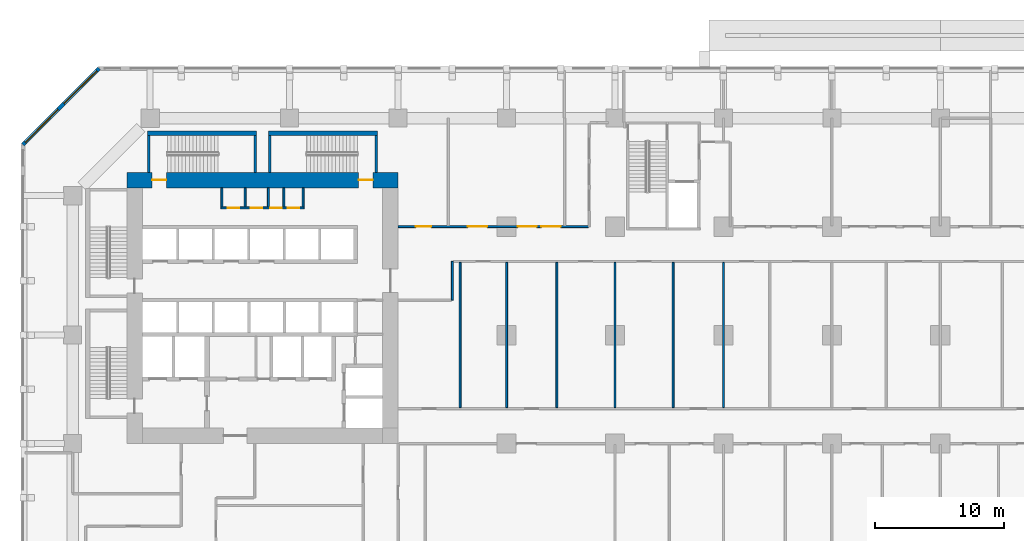
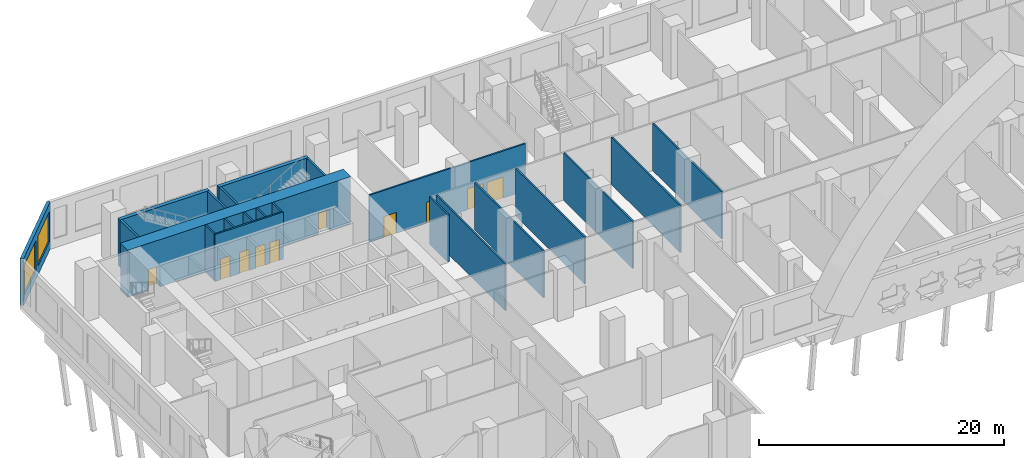
# One storey, part 12 of 25: 22 walls, 10 doors, 2 windows, 12 openings.
"""IFC4 building model written with IfcOpenShell, lengths in metres."""

from ifc_helpers import new_model, si_unit, direction, frame, frame_2d, origin, place, context, subcontext, project, spatial, rectangle, extrude, material, layer, layer_set, type_object, element, fill, save


model = new_model("IFC4")

# Units and contexts
model_context = context("Model", 3, precision=1e-05, world=origin(), true_north=direction((0.0, 1.0)))
body_context = subcontext(model_context, "Body", "Model", "MODEL_VIEW")
ifc_project = project(units=[si_unit("LENGTHUNIT", "METRE"), si_unit("AREAUNIT", "SQUARE_METRE"), si_unit("VOLUMEUNIT", "CUBIC_METRE"), si_unit("PLANEANGLEUNIT", "RADIAN"), si_unit("MASSUNIT", "GRAM", prefix="KILO")], contexts=[model_context])

# Site, building, storey
site_placement = place(None, origin())
site = spatial("IfcSite", under=ifc_project, at=site_placement, CompositionType="ELEMENT")
building_placement = place(site_placement, origin())
building = spatial("IfcBuilding", under=site, at=building_placement, Name="Kawkab Arch Medical Tower", CompositionType="ELEMENT")
storey_placement = place(building_placement, frame((0.0, 0.0, 29.0)))
storey = spatial("IfcBuildingStorey", under=building, at=storey_placement, Name="L06", CompositionType="ELEMENT", Elevation=29.0)

# Wall, openings, doors
ifc_material_1 = material(Name="Concrete C60/75", Category="concrete")
ifc_layer_1 = layer(ifc_material_1, 1.199951171875)
ifc_layer_set_1 = layer_set([ifc_layer_1], Name="Concrete C60/75")
wall_type_1 = type_object("IfcWallType", Name="Core ring wall 1200 C60/75", PredefinedType="SHEAR", material=ifc_layer_set_1)
wall_1_placement = place(storey_placement, frame((4.199951171875, -4.800048828125, 0.0), z_axis=(0.0, 0.0, 1.0), x_axis=(1.0, 0.0, 0.0)))
wall_1 = element("IfcWall", 1, at=wall_1_placement, inside=storey, type_object=wall_type_1, Name="L06 core wall", PredefinedType="SHEAR", context=body_context, shape_type="SweptSolid", body=[
    extrude(rectangle(XDim=21.0, YDim=1.199951171875, at=frame_2d((10.5, 0.0))), origin(), (0.0, 0.0, 1.0), 4.699951171875),
])
opening_1_placement = place(wall_1_placement, frame((1.949951171875, 0.0, 0.0)))
opening_1 = element("IfcOpeningElement", 2, at=opening_1_placement, cuts=wall_1, Name="Opening SD", PredefinedType="OPENING", context=body_context, shape_type="SweptSolid", body=[
    extrude(rectangle(XDim=1.10009765625, YDim=2.10009765625, at=frame_2d((0.550048828125, 1.050048828125))), frame((0.0, 0.60986328125, 0.0), z_axis=(0.0, -1.0, 0.0), x_axis=(1.0, 0.0, 0.0)), (0.0, 0.0, 1.0), 1.219970703125),
])
opening_2_placement = place(wall_1_placement, frame((17.949951171875, 0.0, 0.0)))
opening_2 = element("IfcOpeningElement", 3, at=opening_2_placement, cuts=wall_1, Name="Opening SD", PredefinedType="OPENING", context=body_context, shape_type="SweptSolid", body=[
    extrude(rectangle(XDim=1.10009765625, YDim=2.10009765625, at=frame_2d((0.550048828125, 1.050048828125))), frame((0.0, 0.60986328125, 0.0), z_axis=(0.0, -1.0, 0.0), x_axis=(1.0, 0.0, 0.0)), (0.0, 0.0, 1.0), 1.219970703125),
])
ifc_material_2 = material(Name="Hollow metal fire door leaf")
door_type_1 = type_object("IfcDoorType", Name="Exit stair door 1100", OperationType="SINGLE_SWING_LEFT", PredefinedType="DOOR", material=ifc_material_2)
door_1_placement = place(opening_1_placement, origin())
door_1 = element("IfcDoor", 4, at=door_1_placement, inside=storey, type_object=door_type_1, Name="L06 Exit stair ST3 door", OperationType="SINGLE_SWING_LEFT", OverallHeight=2.10009765625, OverallWidth=1.10009765625, PredefinedType="DOOR", context=body_context, shape_type="SweptSolid", body=[
    extrude(rectangle(XDim=1.10009765625, YDim=2.10009765625, at=frame_2d((0.550048828125, 1.050048828125))), frame((0.0, 0.02490234375, 0.0), z_axis=(0.0, -1.0, 0.0), x_axis=(1.0, 0.0, 0.0)), (0.0, 0.0, 1.0), 0.050048828125),
])
fill(opening_1, door_1)
door_2_placement = place(opening_2_placement, origin())
door_2 = element("IfcDoor", 5, at=door_2_placement, inside=storey, type_object=door_type_1, Name="L06 Exit stair ST4 door", OperationType="SINGLE_SWING_LEFT", OverallHeight=2.10009765625, OverallWidth=1.10009765625, PredefinedType="DOOR", context=body_context, shape_type="SweptSolid", body=[
    extrude(rectangle(XDim=1.10009765625, YDim=2.10009765625, at=frame_2d((0.550048828125, 1.050048828125))), frame((0.0, 0.02490234375, 0.0), z_axis=(0.0, -1.0, 0.0), x_axis=(1.0, 0.0, 0.0)), (0.0, 0.0, 1.0), 0.050048828125),
])
fill(opening_2, door_2)

ifc_material_3 = material(Name="Gypsum board on steel studs", Category="steel")
ifc_layer_2 = layer(ifc_material_3, 0.14990234375)
ifc_layer_set_2 = layer_set([ifc_layer_2], Name="Gypsum board on steel studs")
wall_type_2 = type_object("IfcWallType", Name="Core room partition 150", PredefinedType="PARTITIONING", material=ifc_layer_set_2)
wall_2_placement = place(storey_placement, frame((11.47509765625, -6.949951171875, 0.0), z_axis=(0.0, 0.0, 1.0), x_axis=(1.0, 0.0, 0.0)))
wall_2 = element("IfcWall", 6, at=wall_2_placement, inside=storey, type_object=wall_type_2, Name="L06 core room partition", PredefinedType="PARTITIONING", context=body_context, shape_type="SweptSolid", body=[
    extrude(rectangle(XDim=6.449951171875, YDim=0.14990234375, at=frame_2d((3.22509765625, 0.0))), origin(), (0.0, 0.0, 1.0), 4.699951171875),
])
opening_3_placement = place(wall_2_placement, frame((0.52490234375, 0.0, 0.0)))
opening_3 = element("IfcOpeningElement", 7, at=opening_3_placement, cuts=wall_2, Name="Opening RD", PredefinedType="OPENING", context=body_context, shape_type="SweptSolid", body=[
    extrude(rectangle(XDim=0.89990234375, YDim=2.10009765625, at=frame_2d((0.449951171875, 1.050048828125))), frame((0.0, 0.0849609375, 0.0), z_axis=(0.0, -1.0, 0.0), x_axis=(1.0, 0.0, 0.0)), (0.0, 0.0, 1.0), 0.169921875),
])
opening_4_placement = place(wall_2_placement, frame((2.324951171875, 0.0, 0.0)))
opening_4 = element("IfcOpeningElement", 8, at=opening_4_placement, cuts=wall_2, Name="Opening RD", PredefinedType="OPENING", context=body_context, shape_type="SweptSolid", body=[
    extrude(rectangle(XDim=0.89990234375, YDim=2.10009765625, at=frame_2d((0.449951171875, 1.050048828125))), frame((0.0, 0.0849609375, 0.0), z_axis=(0.0, -1.0, 0.0), x_axis=(1.0, 0.0, 0.0)), (0.0, 0.0, 1.0), 0.169921875),
])
opening_5_placement = place(wall_2_placement, frame((3.824951171875, 0.0, 0.0)))
opening_5 = element("IfcOpeningElement", 9, at=opening_5_placement, cuts=wall_2, Name="Opening RD", PredefinedType="OPENING", context=body_context, shape_type="SweptSolid", body=[
    extrude(rectangle(XDim=0.89990234375, YDim=2.10009765625, at=frame_2d((0.449951171875, 1.050048828125))), frame((0.0, 0.0849609375, 0.0), z_axis=(0.0, -1.0, 0.0), x_axis=(1.0, 0.0, 0.0)), (0.0, 0.0, 1.0), 0.169921875),
])
opening_6_placement = place(wall_2_placement, frame((5.175048828125, 0.0, 0.0)))
opening_6 = element("IfcOpeningElement", 10, at=opening_6_placement, cuts=wall_2, Name="Opening RD", PredefinedType="OPENING", context=body_context, shape_type="SweptSolid", body=[
    extrude(rectangle(XDim=0.89990234375, YDim=2.10009765625, at=frame_2d((0.449951171875, 1.050048828125))), frame((0.0, 0.0849609375, 0.0), z_axis=(0.0, -1.0, 0.0), x_axis=(1.0, 0.0, 0.0)), (0.0, 0.0, 1.0), 0.169921875),
])
ifc_material_4 = material(Name="Hollow metal fire door leaf")
door_type_2 = type_object("IfcDoorType", Name="Core room door 900", OperationType="SINGLE_SWING_LEFT", PredefinedType="DOOR", material=ifc_material_4)
door_3_placement = place(opening_3_placement, origin())
door_3 = element("IfcDoor", 11, at=door_3_placement, inside=storey, type_object=door_type_2, Name="L06 Linen store door", OperationType="SINGLE_SWING_LEFT", OverallHeight=2.10009765625, OverallWidth=0.89990234375, PredefinedType="DOOR", context=body_context, shape_type="SweptSolid", body=[
    extrude(rectangle(XDim=0.89990234375, YDim=2.10009765625, at=frame_2d((0.449951171875, 1.050048828125))), frame((0.0, 0.02490234375, 0.0), z_axis=(0.0, -1.0, 0.0), x_axis=(1.0, 0.0, 0.0)), (0.0, 0.0, 1.0), 0.050048828125),
])
fill(opening_3, door_3)
door_4_placement = place(opening_4_placement, origin())
door_4 = element("IfcDoor", 12, at=door_4_placement, inside=storey, type_object=door_type_2, Name="L06 Comms room door", OperationType="SINGLE_SWING_LEFT", OverallHeight=2.10009765625, OverallWidth=0.89990234375, PredefinedType="DOOR", context=body_context, shape_type="SweptSolid", body=[
    extrude(rectangle(XDim=0.89990234375, YDim=2.10009765625, at=frame_2d((0.449951171875, 1.050048828125))), frame((0.0, 0.02490234375, 0.0), z_axis=(0.0, -1.0, 0.0), x_axis=(1.0, 0.0, 0.0)), (0.0, 0.0, 1.0), 0.050048828125),
])
fill(opening_4, door_4)
door_5_placement = place(opening_5_placement, origin())
door_5 = element("IfcDoor", 13, at=door_5_placement, inside=storey, type_object=door_type_2, Name="L06 Electrical riser room door", OperationType="SINGLE_SWING_LEFT", OverallHeight=2.10009765625, OverallWidth=0.89990234375, PredefinedType="DOOR", context=body_context, shape_type="SweptSolid", body=[
    extrude(rectangle(XDim=0.89990234375, YDim=2.10009765625, at=frame_2d((0.449951171875, 1.050048828125))), frame((0.0, 0.02490234375, 0.0), z_axis=(0.0, -1.0, 0.0), x_axis=(1.0, 0.0, 0.0)), (0.0, 0.0, 1.0), 0.050048828125),
])
fill(opening_5, door_5)
door_6_placement = place(opening_6_placement, origin())
door_6 = element("IfcDoor", 14, at=door_6_placement, inside=storey, type_object=door_type_2, Name="L06 Ward pantry door", OperationType="SINGLE_SWING_LEFT", OverallHeight=2.10009765625, OverallWidth=0.89990234375, PredefinedType="DOOR", context=body_context, shape_type="SweptSolid", body=[
    extrude(rectangle(XDim=0.89990234375, YDim=2.10009765625, at=frame_2d((0.449951171875, 1.050048828125))), frame((0.0, 0.02490234375, 0.0), z_axis=(0.0, -1.0, 0.0), x_axis=(1.0, 0.0, 0.0)), (0.0, 0.0, 1.0), 0.050048828125),
])
fill(opening_6, door_6)

# Walls
for number, where, z_axis, x_axis, name in (
    (15, (11.550048828125, -6.875, 0.0), (0.0, 0.0, 1.0), (0.0, 1.0, 0.0), "L06 core room partition"),
    (16, (13.35009765625, -6.875, 0.0), (0.0, 0.0, 1.0), (0.0, 1.0, 0.0), "L06 core room partition"),
    (17, (15.14990234375, -6.875, 0.0), (0.0, 0.0, 1.0), (0.0, 1.0, 0.0), "L06 core room partition"),
    (18, (16.35009765625, -6.875, 0.0), (0.0, 0.0, 1.0), (0.0, 1.0, 0.0), "L06 core room partition"),
    (19, (17.85009765625, -6.875, 0.0), (0.0, 0.0, 1.0), (0.0, 1.0, 0.0), "L06 core room partition"),
):
    element("IfcWall", number, at=place(storey_placement, frame(where, z_axis=z_axis, x_axis=x_axis)), inside=storey, type_object=wall_type_2, Name=name, PredefinedType="PARTITIONING", context=body_context, shape_type="SweptSolid", body=[
        extrude(rectangle(XDim=1.47509765625, YDim=0.14990234375, at=frame_2d((0.737548828125, 0.0))), origin(), (0.0, 0.0, 1.0), 4.699951171875),
    ])

# Wall, openings, doors
ifc_material_5 = material(Name="Gypsum board partition on steel studs, mineral wool", Category="steel")
ifc_layer_3 = layer(ifc_material_5, 0.14990234375)
ifc_layer_set_3 = layer_set([ifc_layer_3], Name="Gypsum board partition on steel studs, mineral wool")
wall_type_3 = type_object("IfcWallType", Name="Partition 150", PredefinedType="PARTITIONING", material=ifc_layer_set_3)
wall_3_placement = place(storey_placement, frame((25.199951171875, -8.39990234375, 0.0), z_axis=(0.0, 0.0, 1.0), x_axis=(1.0, 0.0, 0.0)))
wall_3 = element("IfcWall", 20, at=wall_3_placement, inside=storey, type_object=wall_type_3, Name="Partition 150 w049", PredefinedType="PARTITIONING", context=body_context, shape_type="SweptSolid", body=[
    extrude(rectangle(XDim=14.73193359375, YDim=0.14990234375, at=frame_2d((7.365966796875, 0.0))), origin(), (0.0, 0.0, 1.0), 4.699951171875),
])
opening_7_placement = place(wall_3_placement, frame((1.35009765625, 0.0, 0.0)))
opening_7 = element("IfcOpeningElement", 21, at=opening_7_placement, cuts=wall_3, Name="Opening P06-075", PredefinedType="OPENING", context=body_context, shape_type="SweptSolid", body=[
    extrude(rectangle(XDim=1.199951171875, YDim=2.10009765625, at=frame_2d((0.60009765625, 1.050048828125))), frame((0.0, 0.0849609375, 0.0), z_axis=(0.0, -1.0, 0.0), x_axis=(1.0, 0.0, 0.0)), (0.0, 0.0, 1.0), 0.169921875),
])
opening_8_placement = place(wall_3_placement, frame((5.39990234375, 0.0, 0.0)))
opening_8 = element("IfcOpeningElement", 22, at=opening_8_placement, cuts=wall_3, Name="Opening P06-002", PredefinedType="OPENING", context=body_context, shape_type="SweptSolid", body=[
    extrude(rectangle(XDim=1.5, YDim=2.10009765625, at=frame_2d((0.75, 1.050048828125))), frame((0.0, 0.0849609375, 0.0), z_axis=(0.0, -1.0, 0.0), x_axis=(1.0, 0.0, 0.0)), (0.0, 0.0, 1.0), 0.169921875),
])
opening_9_placement = place(wall_3_placement, frame((9.25, 0.0, 0.0)))
opening_9 = element("IfcOpeningElement", 23, at=opening_9_placement, cuts=wall_3, Name="Opening P06-003", PredefinedType="OPENING", context=body_context, shape_type="SweptSolid", body=[
    extrude(rectangle(XDim=1.5, YDim=2.10009765625, at=frame_2d((0.75, 1.050048828125))), frame((0.0, 0.0849609375, 0.0), z_axis=(0.0, -1.0, 0.0), x_axis=(1.0, 0.0, 0.0)), (0.0, 0.0, 1.0), 0.169921875),
])
opening_10_placement = place(wall_3_placement, frame((11.10009765625, 0.0, 0.0)))
opening_10 = element("IfcOpeningElement", 24, at=opening_10_placement, cuts=wall_3, Name="Opening P06-004", PredefinedType="OPENING", context=body_context, shape_type="SweptSolid", body=[
    extrude(rectangle(XDim=1.5, YDim=2.10009765625, at=frame_2d((0.75, 1.050048828125))), frame((0.0, 0.0849609375, 0.0), z_axis=(0.0, -1.0, 0.0), x_axis=(1.0, 0.0, 0.0)), (0.0, 0.0, 1.0), 0.169921875),
])
ifc_material_6 = material(Name="Hollow metal door leaf")
door_type_3 = type_object("IfcDoorType", Name="Double door 1500x2100 FD30S", OperationType="NOTDEFINED", PredefinedType="DOOR", material=ifc_material_6)
door_7_placement = place(opening_8_placement, origin())
door_7 = element("IfcDoor", 25, at=door_7_placement, inside=storey, type_object=door_type_3, Name="Door P06-002", OperationType="DOUBLE_DOOR_SINGLE_SWING", OverallHeight=2.10009765625, OverallWidth=1.5, PredefinedType="DOOR", context=body_context, shape_type="SweptSolid", body=[
    extrude(rectangle(XDim=1.5, YDim=2.10009765625, at=frame_2d((0.75, 1.050048828125))), frame((0.0, 0.02490234375, 0.0), z_axis=(0.0, -1.0, 0.0), x_axis=(1.0, 0.0, 0.0)), (0.0, 0.0, 1.0), 0.050048828125),
])
fill(opening_8, door_7)
door_8_placement = place(opening_9_placement, origin())
door_8 = element("IfcDoor", 26, at=door_8_placement, inside=storey, type_object=door_type_3, Name="Door P06-003", OperationType="DOUBLE_DOOR_SINGLE_SWING", OverallHeight=2.10009765625, OverallWidth=1.5, PredefinedType="DOOR", context=body_context, shape_type="SweptSolid", body=[
    extrude(rectangle(XDim=1.5, YDim=2.10009765625, at=frame_2d((0.75, 1.050048828125))), frame((0.0, 0.02490234375, 0.0), z_axis=(0.0, -1.0, 0.0), x_axis=(1.0, 0.0, 0.0)), (0.0, 0.0, 1.0), 0.050048828125),
])
fill(opening_9, door_8)
door_9_placement = place(opening_10_placement, origin())
door_9 = element("IfcDoor", 27, at=door_9_placement, inside=storey, type_object=door_type_3, Name="Door P06-004", OperationType="DOUBLE_DOOR_SINGLE_SWING", OverallHeight=2.10009765625, OverallWidth=1.5, PredefinedType="DOOR", context=body_context, shape_type="SweptSolid", body=[
    extrude(rectangle(XDim=1.5, YDim=2.10009765625, at=frame_2d((0.75, 1.050048828125))), frame((0.0, 0.02490234375, 0.0), z_axis=(0.0, -1.0, 0.0), x_axis=(1.0, 0.0, 0.0)), (0.0, 0.0, 1.0), 0.050048828125),
])
fill(opening_10, door_9)
ifc_material_7 = material(Name="Hollow metal door leaf")
door_type_4 = type_object("IfcDoorType", Name="Single door 1200x2100 FD30S", OperationType="NOTDEFINED", PredefinedType="DOOR", material=ifc_material_7)
door_10_placement = place(opening_7_placement, origin())
door_10 = element("IfcDoor", 28, at=door_10_placement, inside=storey, type_object=door_type_4, Name="Door P06-075", OperationType="SINGLE_SWING_LEFT", OverallHeight=2.10009765625, OverallWidth=1.199951171875, PredefinedType="DOOR", context=body_context, shape_type="SweptSolid", body=[
    extrude(rectangle(XDim=1.199951171875, YDim=2.10009765625, at=frame_2d((0.60009765625, 1.050048828125))), frame((0.0, 0.02490234375, 0.0), z_axis=(0.0, -1.0, 0.0), x_axis=(1.0, 0.0, 0.0)), (0.0, 0.0, 1.0), 0.050048828125),
])
fill(opening_7, door_10)

# Walls
wall_4_placement = place(storey_placement, frame((29.39990234375, -14.10009765625, 0.0), z_axis=(0.0, 0.0, 1.0), x_axis=(0.0, 1.0, 0.0)))
element("IfcWall", 29, at=wall_4_placement, inside=storey, type_object=wall_type_3, Name="Partition 150 w074", PredefinedType="PARTITIONING", context=body_context, shape_type="SweptSolid", body=[
    extrude(rectangle(XDim=3.0, YDim=0.14990234375, at=frame_2d((1.5, 0.0))), origin(), (0.0, 0.0, 1.0), 4.699951171875),
])
for number, where, z_axis, x_axis, name in (
    (30, (30.0, -22.425048828125, 0.0), (0.0, 0.0, 1.0), (0.0, 1.0, 0.0), "Partition 150 w075"),
    (31, (33.60009765625, -22.425048828125, 0.0), (0.0, 0.0, 1.0), (0.0, 1.0, 0.0), "Partition 150 w076"),
    (32, (37.5, -22.425048828125, 0.0), (0.0, 0.0, 1.0), (0.0, 1.0, 0.0), "Partition 150 w077"),
    (33, (42.0, -22.425048828125, 0.0), (0.0, 0.0, 1.0), (0.0, 1.0, 0.0), "Partition 150 w083"),
    (34, (46.5, -22.425048828125, 0.0), (0.0, 0.0, 1.0), (0.0, 1.0, 0.0), "Partition 150 w087"),
    (35, (50.39990234375, -22.425048828125, 0.0), (0.0, 0.0, 1.0), (0.0, 1.0, 0.0), "Partition 150 w089"),
):
    element("IfcWall", number, at=place(storey_placement, frame(where, z_axis=z_axis, x_axis=x_axis)), inside=storey, type_object=wall_type_3, Name=name, PredefinedType="PARTITIONING", context=body_context, shape_type="SweptSolid", body=[
        extrude(rectangle(XDim=11.25, YDim=0.14990234375, at=frame_2d((5.625, 0.0))), origin(), (0.0, 0.0, 1.0), 4.699951171875),
    ])

# Wall, openings, windows
ifc_material_8 = material(Name="Bronze clad insulated wall panel")
ifc_layer_4 = layer(ifc_material_8, 0.300048828125)
ifc_layer_set_4 = layer_set([ifc_layer_4], Name="Bronze clad insulated wall panel")
wall_type_4 = type_object("IfcWallType", Name="Podium external wall 300", PredefinedType="SOLIDWALL", material=ifc_layer_set_4)
wall_5_placement = place(storey_placement, frame((2.06201171875, 3.85009765625, 0.0), z_axis=(0.0, 0.0, 1.0), x_axis=(-0.707106781187, -0.707106781187, 0.0)))
wall_5 = element("IfcWall", 36, at=wall_5_placement, inside=storey, type_object=wall_type_4, Name="Podium external wall L06 R12", PredefinedType="SOLIDWALL", context=body_context, shape_type="SweptSolid", body=[
    extrude(rectangle(XDim=8.361083984375, YDim=0.300048828125, at=frame_2d((4.1806640625, 0.0))), origin(), (0.0, 0.0, 1.0), 4.699951171875),
])
opening_11_placement = place(wall_5_placement, frame((0.259033203125, 0.0, 0.89990234375)))
opening_11 = element("IfcOpeningElement", 37, at=opening_11_placement, cuts=wall_5, Name="Opening PBW360-30-S9", PredefinedType="OPENING", context=body_context, shape_type="SweptSolid", body=[
    extrude(rectangle(XDim=3.60009765625, YDim=3.0, at=frame_2d((1.800048828125, 1.5))), frame((0.0, 0.159912109375, 0.0), z_axis=(0.0, -1.0, 0.0), x_axis=(1.0, 0.0, 0.0)), (0.0, 0.0, 1.0), 0.320068359375),
])
opening_12_placement = place(wall_5_placement, frame((4.501708984375, 0.0, 0.89990234375)))
opening_12 = element("IfcOpeningElement", 38, at=opening_12_placement, cuts=wall_5, Name="Opening PBW360-30-S9", PredefinedType="OPENING", context=body_context, shape_type="SweptSolid", body=[
    extrude(rectangle(XDim=3.60009765625, YDim=3.0, at=frame_2d((1.800048828125, 1.5))), frame((0.0, 0.159912109375, 0.0), z_axis=(0.0, -1.0, 0.0), x_axis=(1.0, 0.0, 0.0)), (0.0, 0.0, 1.0), 0.320068359375),
])
ifc_material_9 = material(Name="Bronze anodised aluminium louvred window", Category="aluminium")
window_type = type_object("IfcWindowType", Name="Podium band window 3600 x 3000 sill 900", PartitioningType="DOUBLE_PANEL_VERTICAL", PredefinedType="WINDOW", material=ifc_material_9)
window_1_placement = place(opening_11_placement, origin())
window_1 = element("IfcWindow", 39, at=window_1_placement, inside=storey, type_object=window_type, Name="Band window L06 R12.1", OverallHeight=3.0, OverallWidth=3.60009765625, PartitioningType="SINGLE_PANEL", PredefinedType="WINDOW", context=body_context, shape_type="SweptSolid", body=[
    extrude(rectangle(XDim=3.60009765625, YDim=3.0, at=frame_2d((1.800048828125, 1.5))), frame((0.0, 0.030029296875, 0.0), z_axis=(0.0, -1.0, 0.0), x_axis=(1.0, 0.0, 0.0)), (0.0, 0.0, 1.0), 0.06005859375),
])
fill(opening_11, window_1)
window_2_placement = place(opening_12_placement, origin())
window_2 = element("IfcWindow", 40, at=window_2_placement, inside=storey, type_object=window_type, Name="Band window L06 R12.2", OverallHeight=3.0, OverallWidth=3.60009765625, PartitioningType="SINGLE_PANEL", PredefinedType="WINDOW", context=body_context, shape_type="SweptSolid", body=[
    extrude(rectangle(XDim=3.60009765625, YDim=3.0, at=frame_2d((1.800048828125, 1.5))), frame((0.0, 0.030029296875, 0.0), z_axis=(0.0, -1.0, 0.0), x_axis=(1.0, 0.0, 0.0)), (0.0, 0.0, 1.0), 0.06005859375),
])
fill(opening_12, window_2)

# Walls
ifc_material_10 = material(Name="Concrete C50/60", Category="concrete")
ifc_layer_5 = layer(ifc_material_10, 0.199951171875)
ifc_layer_set_5 = layer_set([ifc_layer_5], Name="Concrete C50/60")
wall_type_5 = type_object("IfcWallType", Name="Stair enclosure wall 200 C50/60", PredefinedType="SHEAR", material=ifc_layer_set_5)
for number, where, z_axis, x_axis, name in (
    (41, (5.89990234375, -4.199951171875, 0.0), (0.0, 0.0, 1.0), (0.0, 1.0, 0.0), "L06 stair enclosure wall"),
    (42, (14.14990234375, -4.199951171875, 0.0), (0.0, 0.0, 1.0), (0.0, 1.0, 0.0), "L06 stair enclosure wall"),
    (43, (15.25, -4.199951171875, 0.0), (0.0, 0.0, 1.0), (0.0, 1.0, 0.0), "L06 stair enclosure wall"),
    (44, (23.5, -4.199951171875, 0.0), (0.0, 0.0, 1.0), (0.0, 1.0, 0.0), "L06 stair enclosure wall"),
):
    element("IfcWall", number, at=place(storey_placement, frame(where, z_axis=z_axis, x_axis=x_axis)), inside=storey, type_object=wall_type_5, Name=name, PredefinedType="SHEAR", context=body_context, shape_type="SweptSolid", body=[
        extrude(rectangle(XDim=2.849853515625, YDim=0.199951171875, at=frame_2d((1.4248046875, 0.0))), origin(), (0.0, 0.0, 1.0), 4.699951171875),
    ])
ifc_material_11 = material(Name="Concrete C50/60", Category="concrete")
ifc_layer_6 = layer(ifc_material_11, 0.35009765625)
ifc_layer_set_6 = layer_set([ifc_layer_6], Name="Concrete C50/60")
wall_type_6 = type_object("IfcWallType", Name="Stair enclosure wall 350 C50/60", PredefinedType="SHEAR", material=ifc_layer_set_6)
wall_6_placement = place(storey_placement, frame((5.800048828125, -1.175048828125, 0.0), z_axis=(0.0, 0.0, 1.0), x_axis=(1.0, 0.0, 0.0)))
element("IfcWall", 45, at=wall_6_placement, inside=storey, type_object=wall_type_6, Name="L06 stair enclosure wall", PredefinedType="SHEAR", context=body_context, shape_type="SweptSolid", body=[
    extrude(rectangle(XDim=8.449951171875, YDim=0.35009765625, at=frame_2d((4.22509765625, 0.0))), origin(), (0.0, 0.0, 1.0), 4.699951171875),
])
wall_7_placement = place(storey_placement, frame((15.14990234375, -1.175048828125, 0.0), z_axis=(0.0, 0.0, 1.0), x_axis=(1.0, 0.0, 0.0)))
element("IfcWall", 46, at=wall_7_placement, inside=storey, type_object=wall_type_6, Name="L06 stair enclosure wall", PredefinedType="SHEAR", context=body_context, shape_type="SweptSolid", body=[
    extrude(rectangle(XDim=8.4501953125, YDim=0.35009765625, at=frame_2d((4.22509765625, 0.0))), origin(), (0.0, 0.0, 1.0), 4.699951171875),
])

save(model, "model.ifc")
